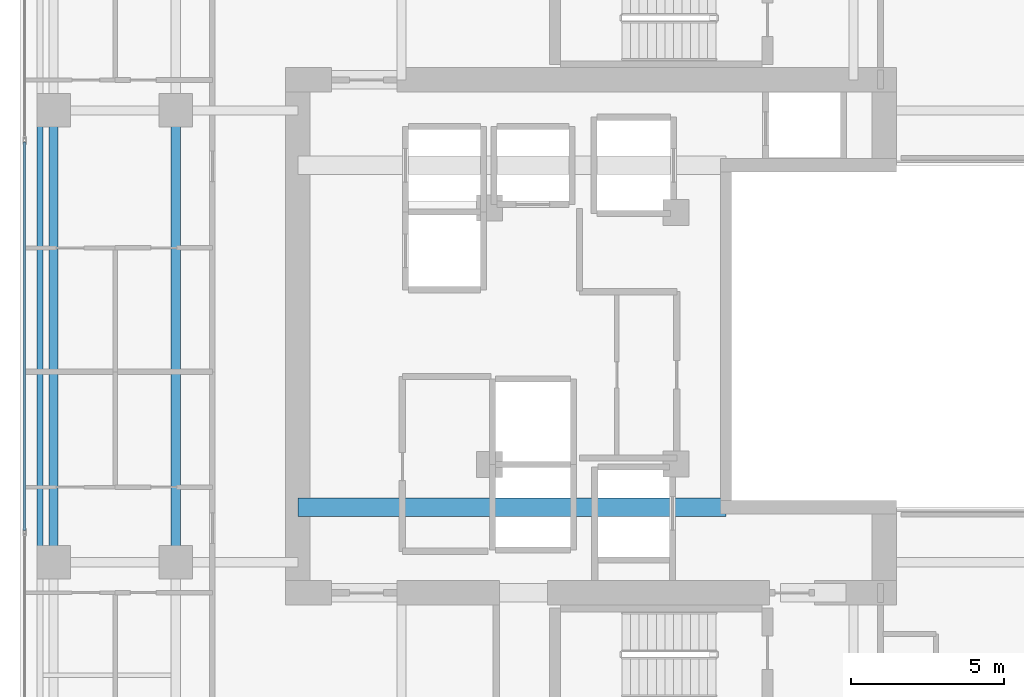
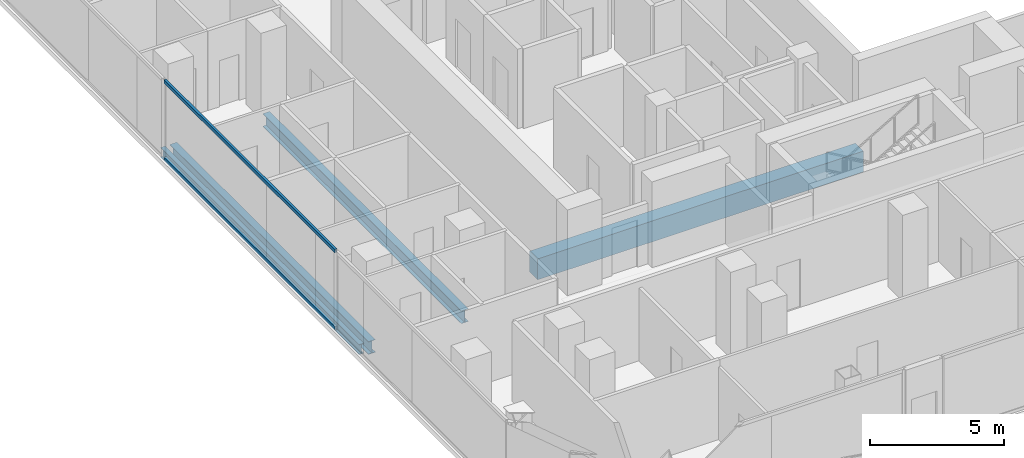
# One storey, part 7 of 27: 4 beams, 2 members, 1 element without a shape of its own.
"""IFC4 building model written with IfcOpenShell, lengths in metres."""

from ifc_helpers import new_model, si_unit, direction, frame, origin, origin_2d, place, context, subcontext, project, spatial, rectangle, hollow_rectangle, i_section, extrude, material, layer, layer_set, material_profile, profile_set, type_object, element, aggregate, save


model = new_model("IFC4")

# Units and contexts
model_context = context("Model", 3, precision=1e-05, world=origin(), true_north=direction((0.0, 1.0)))
body_context = subcontext(model_context, "Body", "Model", "MODEL_VIEW")
ifc_project = project(units=[si_unit("LENGTHUNIT", "METRE"), si_unit("AREAUNIT", "SQUARE_METRE"), si_unit("VOLUMEUNIT", "CUBIC_METRE"), si_unit("PLANEANGLEUNIT", "RADIAN"), si_unit("MASSUNIT", "GRAM", prefix="KILO")], contexts=[model_context])

# Site, building, storey
site_placement = place(None, origin())
site = spatial("IfcSite", under=ifc_project, at=site_placement, CompositionType="ELEMENT")
building_placement = place(site_placement, origin())
building = spatial("IfcBuilding", under=site, at=building_placement, Name="Khorvyn Point Tower", CompositionType="ELEMENT")
storey_placement = place(building_placement, frame((0.0, 0.0, 164.10009765625)))
storey = spatial("IfcBuildingStorey", under=building, at=storey_placement, Name="L40", CompositionType="ELEMENT", Elevation=164.10009765625)

# Curtain wall, members
ifc_material_1 = material(Name="Anodised aluminium 6063-T6 and laminated Low-E glass", Category="aluminium")
ifc_layer = layer(ifc_material_1, 0.18994140625)
ifc_layer_set = layer_set([ifc_layer], Name="Stick-Built Acoustic Curtain Wall CW-SYS-03")
curtain_wall_type = type_object("IfcCurtainWallType", Name="Stick-Built Acoustic Curtain Wall CW-SYS-03", PredefinedType="NOTDEFINED", material=ifc_layer_set)
curtain_wall_placement = place(storey_placement, origin())
curtain_wall = element("IfcCurtainWall", 1, at=curtain_wall_placement, inside=storey, type_object=curtain_wall_type, Name="Curtain Wall", PredefinedType="NOTDEFINED")
ifc_material_2 = material(Name="Anodised aluminium 6063-T6", Category="aluminium")
ifc_material_profile_1 = material_profile(ifc_material_2, hollow_rectangle(XDim=0.10009765625, YDim=0.159912109375, WallThickness=0.00439453125, at=origin_2d()))
ifc_profile_set_1 = profile_set([ifc_material_profile_1], Name="Anodised aluminium 6063-T6 ALU-TRN-100x160")
member_type = type_object("IfcMemberType", Name="Anodised Aluminium 6063-T6 Transom ALU-TRN-100x160", PredefinedType="USERDEFINED", material=ifc_profile_set_1)
member_1_placement = place(storey_placement, frame((-19.75, -6.36669921875, 0.0498046875), z_axis=(0.0, 1.0, 0.0), x_axis=(-1.0, 0.0, 0.0)))
member_1 = element("IfcMember", 2, at=member_1_placement, type_object=member_type, Name="Transom", ObjectType="TRANSOM", PredefinedType="USERDEFINED", context=body_context, shape_type="SweptSolid", body=[
    extrude(hollow_rectangle(XDim=0.10009765625, YDim=0.159912109375, WallThickness=0.00439453125, at=origin_2d()), origin(), (0.0, 0.0, 1.0), 12.7333984375),
])
member_2_placement = place(storey_placement, frame((-19.75, -6.36669921875, 3.56982421875), z_axis=(0.0, 1.0, 0.0), x_axis=(-1.0, 0.0, 0.0)))
member_2 = element("IfcMember", 3, at=member_2_placement, type_object=member_type, Name="Transom", ObjectType="TRANSOM", PredefinedType="USERDEFINED", context=body_context, shape_type="SweptSolid", body=[
    extrude(hollow_rectangle(XDim=0.10009765625, YDim=0.159912109375, WallThickness=0.00439453125, at=origin_2d()), origin(), (0.0, 0.0, 1.0), 12.7333984375),
])
aggregate(curtain_wall, [member_1, member_2])

# Beams
ifc_material_3 = material(Name="Concrete C50/60", Category="concrete")
ifc_material_profile_2 = material_profile(ifc_material_3, rectangle(XDim=0.60009765625, YDim=0.949951171875, at=origin_2d()))
ifc_profile_set_2 = profile_set([ifc_material_profile_2], Name="Concrete C50/60 RC600x950")
beam_type_1 = type_object("IfcBeamType", Name="Concrete C50/60 Beam RC600x950", PredefinedType="BEAM", material=ifc_profile_set_2)
beam_1_placement = place(storey_placement, frame((-10.800048828125, -5.60009765625, -0.695068359375), z_axis=(1.0, 0.0, 0.0), x_axis=(0.0, 1.0, 0.0)))
element("IfcBeam", 4, at=beam_1_placement, inside=storey, type_object=beam_type_1, Name="L40 Core Internal Tie Girder S", PredefinedType="BEAM", context=body_context, shape_type="SweptSolid", body=[
    extrude(rectangle(XDim=0.60009765625, YDim=0.949951171875, at=origin_2d()), origin(), (0.0, 0.0, 1.0), 14.02001953125),
])
ifc_material_4 = material(Name="Steel S355", Category="steel")
ifc_material_profile_3 = material_profile(ifc_material_4, i_section(OverallWidth=0.300048828125, OverallDepth=0.587890625, WebThickness=0.011962890625, FlangeThickness=0.02001953125, at=origin_2d()))
ifc_profile_set_3 = profile_set([ifc_material_profile_3], Name="Steel S355 H588x300x12x20")
beam_type_2 = type_object("IfcBeamType", Name="Steel S355 Beam H588x300x12x20", PredefinedType="BEAM", material=ifc_profile_set_3)
for number, where, z_axis, x_axis, name in (
    (5, (-14.800048828125, -7.39990234375, -0.51416015625), (0.0, 1.0, 0.0), (-1.0, 0.0, 0.0), "Beam"),
    (6, (-18.800048828125, -7.39990234375, -0.51416015625), (0.0, 1.0, 0.0), (-1.0, 0.0, 0.0), "Beam"),
):
    element("IfcBeam", number, at=place(storey_placement, frame(where, z_axis=z_axis, x_axis=x_axis)), inside=storey, type_object=beam_type_2, Name=name, PredefinedType="BEAM", context=body_context, shape_type="SweptSolid", body=[
        extrude(i_section(OverallWidth=0.300048828125, OverallDepth=0.587890625, WebThickness=0.011962890625, FlangeThickness=0.02001953125, at=origin_2d()), origin(), (0.0, 0.0, 1.0), 14.7998046875),
    ])
ifc_material_profile_4 = material_profile(ifc_material_4, i_section(OverallWidth=0.199951171875, OverallDepth=0.449951171875, WebThickness=0.009033203125, FlangeThickness=0.013916015625, at=origin_2d()))
ifc_profile_set_4 = profile_set([ifc_material_profile_4], Name="Steel S355 H450x200x9x14")
beam_type_3 = type_object("IfcBeamType", Name="Steel S355 Spandrel H450x200x9x14", PredefinedType="SPANDREL", material=ifc_profile_set_4)
beam_2_placement = place(storey_placement, frame((-19.25, -7.39990234375, -0.445068359375), z_axis=(0.0, 1.0, 0.0), x_axis=(-1.0, 0.0, 0.0)))
element("IfcBeam", 7, at=beam_2_placement, inside=storey, type_object=beam_type_3, Name="Beam", PredefinedType="SPANDREL", context=body_context, shape_type="SweptSolid", body=[
    extrude(i_section(OverallWidth=0.199951171875, OverallDepth=0.449951171875, WebThickness=0.009033203125, FlangeThickness=0.013916015625, at=origin_2d()), origin(), (0.0, 0.0, 1.0), 14.7998046875),
])

save(model, "model.ifc")
